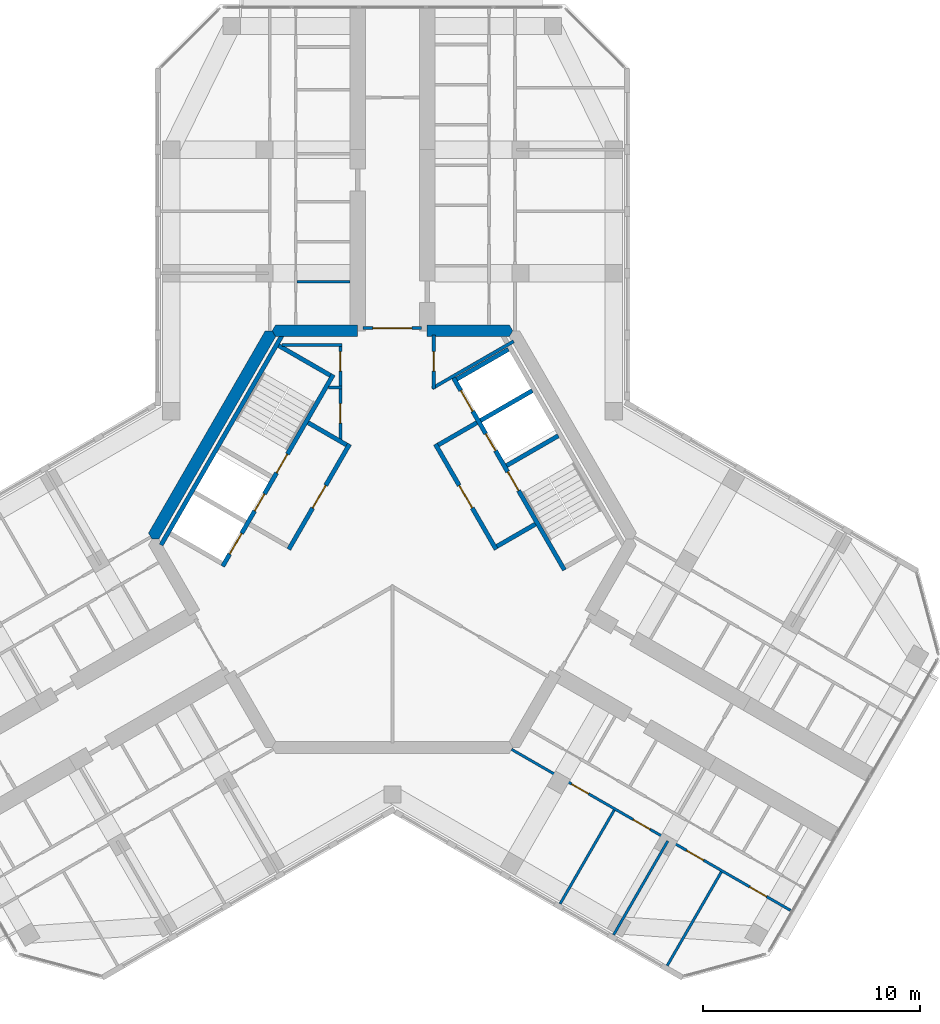
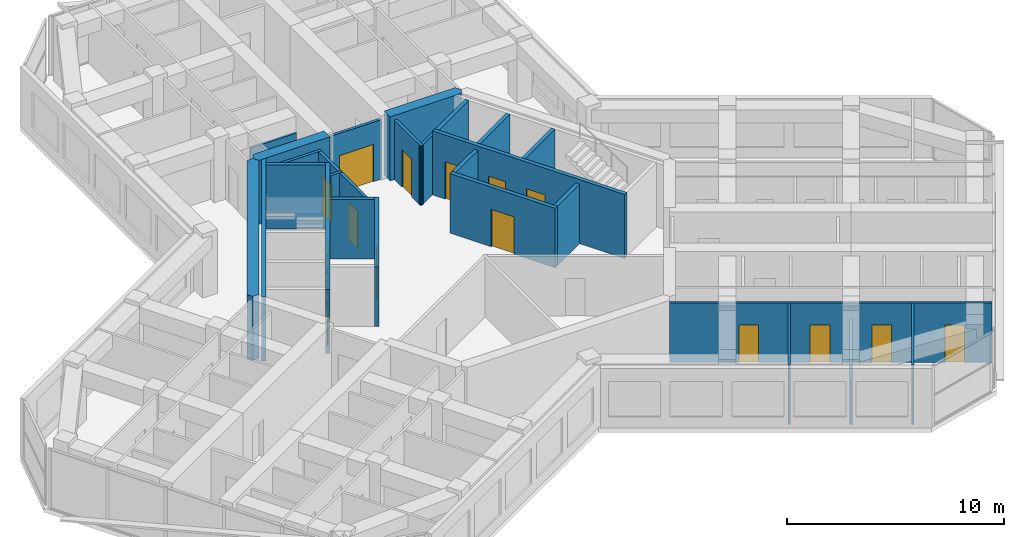
# One storey, part 9 of 14: 26 walls, 16 doors, 16 openings.
"""IFC4 building model written with IfcOpenShell, lengths in metres."""

from ifc_helpers import new_model, si_unit, direction, frame, frame_2d, origin, place, context, subcontext, project, spatial, polyline, rectangle, outline, extrude, material, layer, layer_set, type_object, element, fill, save


model = new_model("IFC4")

# Units and contexts
model_context = context("Model", 3, precision=1e-05, world=origin(), true_north=direction((0.0, 1.0)))
body_context = subcontext(model_context, "Body", "Model", "MODEL_VIEW")
ifc_project = project(units=[si_unit("LENGTHUNIT", "METRE"), si_unit("AREAUNIT", "SQUARE_METRE"), si_unit("VOLUMEUNIT", "CUBIC_METRE"), si_unit("PLANEANGLEUNIT", "RADIAN"), si_unit("MASSUNIT", "GRAM", prefix="KILO")], contexts=[model_context])

# Site, building, storey
site_placement = place(None, origin())
site = spatial("IfcSite", under=ifc_project, at=site_placement, CompositionType="ELEMENT")
building_placement = place(site_placement, origin())
building = spatial("IfcBuilding", under=site, at=building_placement, Name="Kosmar Iwan School Tower", CompositionType="ELEMENT")
storey_placement = place(building_placement, frame((0.0, 0.0, 278.199951171875)))
storey = spatial("IfcBuildingStorey", under=building, at=storey_placement, Name="L70", CompositionType="ELEMENT", Elevation=278.199951171875)

# Wall, openings, doors
ifc_material_1 = material(Name="Gypsum board on steel studs, fire-rated", Category="steel")
ifc_layer_1 = layer(ifc_material_1, 0.14990234375)
ifc_layer_set_1 = layer_set([ifc_layer_1], Name="Core room partition 150")
wall_type_1 = type_object("IfcWallType", Name="Core room partition 150", PredefinedType="PARTITIONING", material=ifc_layer_set_1)
wall_1_placement = place(storey_placement, frame((-2.39990234375, 9.014892578125, 0.0), z_axis=(0.0, 0.0, 1.0), x_axis=(0.0, -1.0, 0.0)))
wall_1 = element("IfcWall", 1, at=wall_1_placement, inside=storey, type_object=wall_type_1, Name="Core room partition L70-CW1", PredefinedType="PARTITIONING", context=body_context, shape_type="SweptSolid", body=[
    extrude(rectangle(XDim=4.484130859375, YDim=0.14990234375, at=frame_2d((2.2421875, 0.0))), origin(), (0.0, 0.0, 1.0), 3.35009765625),
])
opening_1_placement = place(wall_1_placement, frame((0.375, 0.0, 0.0)))
opening_1 = element("IfcOpeningElement", 2, at=opening_1_placement, cuts=wall_1, Name="Opening D14", PredefinedType="OPENING", context=body_context, shape_type="SweptSolid", body=[
    extrude(rectangle(XDim=0.89990234375, YDim=2.10009765625, at=frame_2d((0.449951171875, 1.050048828125))), frame((0.0, 0.0869140625, 0.0), z_axis=(0.0, -1.0, 0.0), x_axis=(1.0, 0.0, 0.0)), (0.0, 0.0, 1.0), 0.173828125),
])
opening_2_placement = place(wall_1_placement, frame((2.77490234375, 0.0, 0.0)))
opening_2 = element("IfcOpeningElement", 3, at=opening_2_placement, cuts=wall_1, Name="Opening D14", PredefinedType="OPENING", context=body_context, shape_type="SweptSolid", body=[
    extrude(rectangle(XDim=0.89990234375, YDim=2.10009765625, at=frame_2d((0.449951171875, 1.050048828125))), frame((0.0, 0.0869140625, 0.0), z_axis=(0.0, -1.0, 0.0), x_axis=(1.0, 0.0, 0.0)), (0.0, 0.0, 1.0), 0.173828125),
])
ifc_material_2 = material(Name="Timber fire door in steel frame", Category="steel")
door_type_1 = type_object("IfcDoorType", Name="Core room door 900x2100", OperationType="SINGLE_SWING_LEFT", PredefinedType="DOOR", material=ifc_material_2)
door_1_placement = place(opening_1_placement, origin())
door_1 = element("IfcDoor", 4, at=door_1_placement, inside=storey, type_object=door_type_1, Name="Electrical riser and switch room door L70 1", OperationType="SINGLE_SWING_LEFT", OverallHeight=2.10009765625, OverallWidth=0.89990234375, PredefinedType="DOOR", context=body_context, shape_type="SweptSolid", body=[
    extrude(rectangle(XDim=0.89990234375, YDim=2.10009765625, at=frame_2d((0.449951171875, 1.050048828125))), frame((0.0, 0.02490234375, 0.0), z_axis=(0.0, -1.0, 0.0), x_axis=(1.0, 0.0, 0.0)), (0.0, 0.0, 1.0), 0.050048828125),
])
fill(opening_1, door_1)
door_2_placement = place(opening_2_placement, origin())
door_2 = element("IfcDoor", 5, at=door_2_placement, inside=storey, type_object=door_type_1, Name="Plumbing and wet riser door L70 2", OperationType="SINGLE_SWING_RIGHT", OverallHeight=2.10009765625, OverallWidth=0.89990234375, PredefinedType="DOOR", context=body_context, shape_type="SweptSolid", body=[
    extrude(rectangle(XDim=0.89990234375, YDim=2.10009765625, at=frame_2d((0.449951171875, 1.050048828125))), frame((0.0, 0.02490234375, 0.0), z_axis=(0.0, -1.0, 0.0), x_axis=(1.0, 0.0, 0.0)), (0.0, 0.0, 1.0), 0.050048828125),
])
fill(opening_2, door_2)

# Walls
wall_2_placement = place(storey_placement, frame((-2.324951171875, 6.985107421875, 0.0), z_axis=(0.0, 0.0, 1.0), x_axis=(-1.0, 0.0, 0.0)))
element("IfcWall", 6, at=wall_2_placement, inside=storey, type_object=wall_type_1, Name="Core room partition L70-CW2", PredefinedType="PARTITIONING", context=body_context, shape_type="SweptSolid", body=[
    extrude(rectangle(XDim=0.623779296875, YDim=0.14990234375, at=frame_2d((0.31201171875, 0.0))), origin(), (0.0, 0.0, 1.0), 3.35009765625),
])
wall_3_placement = place(storey_placement, frame((-5.089599609375, 8.93994140625, 0.0), z_axis=(0.0, 0.0, 1.0), x_axis=(1.0, 0.0, 0.0)))
element("IfcWall", 7, at=wall_3_placement, inside=storey, type_object=wall_type_1, Name="Core room partition L70-CW3", PredefinedType="PARTITIONING", context=body_context, shape_type="SweptSolid", body=[
    extrude(rectangle(XDim=2.7646484375, YDim=0.14990234375, at=frame_2d((1.38232421875, 0.0))), origin(), (0.0, 0.0, 1.0), 3.35009765625),
])
wall_4_placement = place(storey_placement, frame((5.58642578125, 9.1142578125, 0.0), z_axis=(0.0, 0.0, 1.0), x_axis=(-0.866039173598, -0.499976149225, 0.0)))
element("IfcWall", 8, at=wall_4_placement, inside=storey, type_object=wall_type_1, Name="Core room partition L70-CW8", PredefinedType="PARTITIONING", context=body_context, shape_type="SweptSolid", body=[
    extrude(rectangle(XDim=4.331787109375, YDim=0.14990234375, at=frame_2d((2.166015625, 0.0))), origin(), (0.0, 0.0, 1.0), 3.35009765625),
])

# Wall, opening, door
wall_5_placement = place(storey_placement, frame((1.89990234375, 6.910888671875, 0.0), z_axis=(0.0, 0.0, 1.0), x_axis=(0.0, 1.0, 0.0)))
wall_5 = element("IfcWall", 9, at=wall_5_placement, inside=storey, type_object=wall_type_1, Name="Core room partition L70-CW9", PredefinedType="PARTITIONING", context=body_context, shape_type="SweptSolid", body=[
    extrude(rectangle(XDim=2.484130859375, YDim=0.14990234375, at=frame_2d((1.2421875, 0.0))), origin(), (0.0, 0.0, 1.0), 3.35009765625),
])
opening_3_placement = place(wall_5_placement, frame((0.826904296875, 0.0, 0.0)))
opening_3 = element("IfcOpeningElement", 10, at=opening_3_placement, cuts=wall_5, Name="Opening D14", PredefinedType="OPENING", context=body_context, shape_type="SweptSolid", body=[
    extrude(rectangle(XDim=0.89990234375, YDim=2.10009765625, at=frame_2d((0.449951171875, 1.050048828125))), frame((0.0, 0.0869140625, 0.0), z_axis=(0.0, -1.0, 0.0), x_axis=(1.0, 0.0, 0.0)), (0.0, 0.0, 1.0), 0.173828125),
])
door_3_placement = place(opening_3_placement, origin())
door_3 = element("IfcDoor", 11, at=door_3_placement, inside=storey, type_object=door_type_1, Name="Water meter room door L70 5", OperationType="SINGLE_SWING_RIGHT", OverallHeight=2.10009765625, OverallWidth=0.89990234375, PredefinedType="DOOR", context=body_context, shape_type="SweptSolid", body=[
    extrude(rectangle(XDim=0.89990234375, YDim=2.10009765625, at=frame_2d((0.449951171875, 1.050048828125))), frame((0.0, 0.02490234375, 0.0), z_axis=(0.0, -1.0, 0.0), x_axis=(1.0, 0.0, 0.0)), (0.0, 0.0, 1.0), 0.050048828125),
])
fill(opening_3, door_3)

# Walls
ifc_material_3 = material(Name="Concrete C50/60", Category="concrete")
ifc_layer_2 = layer(ifc_material_3, 0.550048828125)
ifc_layer_set_2 = layer_set([ifc_layer_2], Name="Core wall 550")
wall_type_2 = type_object("IfcWallType", Name="Core wall 550", PredefinedType="SHEAR", material=ifc_layer_set_2)
wall_6_placement = place(storey_placement, origin())
element("IfcWall", 12, at=wall_6_placement, inside=storey, type_object=wall_type_2, Name="Core wall F090a", PredefinedType="SHEAR", context=body_context, shape_type="SweptSolid", body=[
    extrude(outline(polyline([(1.60009765625, 9.324951171875), (5.3837890625, 9.324951171875), (5.54248046875, 9.60009765625), (5.3837890625, 9.875), (1.60009765625, 9.875), (1.60009765625, 9.324951171875)])), origin(), (0.0, 0.0, 1.0), 3.60009765625),
])
wall_7_placement = place(storey_placement, origin())
element("IfcWall", 13, at=wall_7_placement, inside=storey, type_object=wall_type_2, Name="Core wall F090b", PredefinedType="SHEAR", context=body_context, shape_type="SweptSolid", body=[
    extrude(outline(polyline([(-5.3837890625, 9.324951171875), (-1.60009765625, 9.324951171875), (-1.60009765625, 9.875), (-5.3837890625, 9.875), (-5.54248046875, 9.60009765625), (-5.3837890625, 9.324951171875)])), origin(), (0.0, 0.0, 1.0), 3.60009765625),
])
wall_8_placement = place(storey_placement, origin())
element("IfcWall", 14, at=wall_8_placement, inside=storey, type_object=wall_type_2, Name="Core wall F150", PredefinedType="SHEAR", context=body_context, shape_type="SweptSolid", body=[
    extrude(outline(polyline([(-11.085205078125, 0.0), (-10.767578125, 0.0), (-5.3837890625, 9.324951171875), (-5.54248046875, 9.60009765625), (-5.860107421875, 9.60009765625), (-11.243896484375, 0.27490234375), (-11.085205078125, 0.0)])), origin(), (0.0, 0.0, 1.0), 3.60009765625),
])

# Wall, opening, door
ifc_material_4 = material(Name="Steel framed glazed screen", Category="steel")
ifc_layer_3 = layer(ifc_material_4, 0.14990234375)
ifc_layer_set_3 = layer_set([ifc_layer_3], Name="Corridor screen wall 150")
wall_type_3 = type_object("IfcWallType", Name="Corridor screen wall 150", PredefinedType="PARTITIONING", material=ifc_layer_set_3)
wall_9_placement = place(storey_placement, frame((1.35009765625, 9.72509765625, 0.0), z_axis=(0.0, 0.0, 1.0), x_axis=(-1.0, 0.0, 0.0)))
wall_9 = element("IfcWall", 15, at=wall_9_placement, inside=storey, type_object=wall_type_3, Name="Corridor screen A L70", PredefinedType="PARTITIONING", context=body_context, shape_type="SweptSolid", body=[
    extrude(rectangle(XDim=2.7001953125, YDim=0.14990234375, at=frame_2d((1.35009765625, 0.0))), origin(), (0.0, 0.0, 1.0), 3.35009765625),
])
opening_4_placement = place(wall_9_placement, frame((0.449951171875, 0.0, 0.0)))
opening_4 = element("IfcOpeningElement", 16, at=opening_4_placement, cuts=wall_9, Name="Opening D9", PredefinedType="OPENING", context=body_context, shape_type="SweptSolid", body=[
    extrude(rectangle(XDim=1.800048828125, YDim=2.10009765625, at=frame_2d((0.89990234375, 1.050048828125))), frame((0.0, 0.0869140625, 0.0), z_axis=(0.0, -1.0, 0.0), x_axis=(1.0, 0.0, 0.0)), (0.0, 0.0, 1.0), 0.173828125),
])
ifc_material_5 = material(Name="Steel framed glazed smoke door", Category="steel")
door_type_2 = type_object("IfcDoorType", Name="Corridor smoke door pair 1800x2100", OperationType="DOUBLE_DOOR_DOUBLE_SWING", PredefinedType="DOOR", material=ifc_material_5)
door_4_placement = place(opening_4_placement, origin())
door_4 = element("IfcDoor", 17, at=door_4_placement, inside=storey, type_object=door_type_2, Name="Corridor doors A L70", OperationType="DOUBLE_DOOR_DOUBLE_SWING", OverallHeight=2.10009765625, OverallWidth=1.800048828125, PredefinedType="DOOR", context=body_context, shape_type="SweptSolid", body=[
    extrude(rectangle(XDim=1.800048828125, YDim=2.10009765625, at=frame_2d((0.89990234375, 1.050048828125))), frame((0.0, 0.02490234375, 0.0), z_axis=(0.0, -1.0, 0.0), x_axis=(1.0, 0.0, 0.0)), (0.0, 0.0, 1.0), 0.050048828125),
])
fill(opening_4, door_4)

# Wall
ifc_material_6 = material(Name="Gypsum board on steel studs", Category="steel")
ifc_layer_4 = layer(ifc_material_6, 0.1201171875)
ifc_layer_set_4 = layer_set([ifc_layer_4], Name="Dwelling partition 120")
wall_type_4 = type_object("IfcWallType", Name="Dwelling partition 120", PredefinedType="PARTITIONING", material=ifc_layer_set_4)
wall_10_placement = place(storey_placement, frame((-1.949951171875, 11.85009765625, 0.0), z_axis=(0.0, 0.0, 1.0), x_axis=(-1.0, 0.0, 0.0)))
element("IfcWall", 18, at=wall_10_placement, inside=storey, type_object=wall_type_4, Name="Partition L70-AL1-Y1", PredefinedType="PARTITIONING", context=body_context, shape_type="SweptSolid", body=[
    extrude(rectangle(XDim=2.43994140625, YDim=0.1201171875, at=frame_2d((1.219970703125, 0.0))), origin(), (0.0, 0.0, 1.0), 2.449951171875),
])

# Wall, openings, doors
wall_11_placement = place(storey_placement, frame((5.48876953125, -9.693115234375, 0.0), z_axis=(0.0, 0.0, 1.0), x_axis=(0.866030301974, -0.499991515992, 0.0)))
wall_11 = element("IfcWall", 19, at=wall_11_placement, inside=storey, type_object=wall_type_4, Name="Partition L70-CR1-W2", PredefinedType="PARTITIONING", context=body_context, shape_type="SweptSolid", body=[
    extrude(rectangle(XDim=14.844970703125, YDim=0.1201171875, at=frame_2d((7.42236328125, 0.0))), origin(), (0.0, 0.0, 1.0), 3.35009765625),
])
opening_5_placement = place(wall_11_placement, frame((3.199951171875, 0.0, 0.0)))
opening_5 = element("IfcOpeningElement", 20, at=opening_5_placement, cuts=wall_11, Name="Opening D2", PredefinedType="OPENING", context=body_context, shape_type="SweptSolid", body=[
    extrude(rectangle(XDim=0.89990234375, YDim=2.10009765625, at=frame_2d((0.449951171875, 1.050048828125))), frame((0.0, 0.072021484375, 0.0), z_axis=(0.0, -1.0, 0.0), x_axis=(1.0, 0.0, 0.0)), (0.0, 0.0, 1.0), 0.14404296875),
])
opening_6_placement = place(wall_11_placement, frame((6.47509765625, 0.0, 0.0)))
opening_6 = element("IfcOpeningElement", 21, at=opening_6_placement, cuts=wall_11, Name="Opening D2", PredefinedType="OPENING", context=body_context, shape_type="SweptSolid", body=[
    extrude(rectangle(XDim=0.89990234375, YDim=2.10009765625, at=frame_2d((0.449951171875, 1.050048828125))), frame((0.0, 0.072021484375, 0.0), z_axis=(0.0, -1.0, 0.0), x_axis=(1.0, 0.0, 0.0)), (0.0, 0.0, 1.0), 0.14404296875),
])
opening_7_placement = place(wall_11_placement, frame((9.324951171875, 0.0, 0.0)))
opening_7 = element("IfcOpeningElement", 22, at=opening_7_placement, cuts=wall_11, Name="Opening D2", PredefinedType="OPENING", context=body_context, shape_type="SweptSolid", body=[
    extrude(rectangle(XDim=0.89990234375, YDim=2.10009765625, at=frame_2d((0.449951171875, 1.050048828125))), frame((0.0, 0.072021484375, 0.0), z_axis=(0.0, -1.0, 0.0), x_axis=(1.0, 0.0, 0.0)), (0.0, 0.0, 1.0), 0.14404296875),
])
opening_8_placement = place(wall_11_placement, frame((12.675048828125, 0.0, 0.0)))
opening_8 = element("IfcOpeningElement", 23, at=opening_8_placement, cuts=wall_11, Name="Opening D2", PredefinedType="OPENING", context=body_context, shape_type="SweptSolid", body=[
    extrude(rectangle(XDim=0.89990234375, YDim=2.10009765625, at=frame_2d((0.449951171875, 1.050048828125))), frame((0.0, 0.072021484375, 0.0), z_axis=(0.0, -1.0, 0.0), x_axis=(1.0, 0.0, 0.0)), (0.0, 0.0, 1.0), 0.14404296875),
])
ifc_material_7 = material(Name="Timber door in timber frame", Category="wood")
door_type_3 = type_object("IfcDoorType", Name="Internal door 900x2100", OperationType="SINGLE_SWING_LEFT", PredefinedType="DOOR", material=ifc_material_7)
door_5_placement = place(opening_5_placement, origin())
door_5 = element("IfcDoor", 24, at=door_5_placement, inside=storey, type_object=door_type_3, Name="Living room and kitchen door L70-CR1-F1", OperationType="SINGLE_SWING_LEFT", OverallHeight=2.10009765625, OverallWidth=0.89990234375, PredefinedType="DOOR", context=body_context, shape_type="SweptSolid", body=[
    extrude(rectangle(XDim=0.89990234375, YDim=2.10009765625, at=frame_2d((0.449951171875, 1.050048828125))), frame((0.0, 0.02490234375, 0.0), z_axis=(0.0, -1.0, 0.0), x_axis=(1.0, 0.0, 0.0)), (0.0, 0.0, 1.0), 0.050048828125),
])
fill(opening_5, door_5)
door_6_placement = place(opening_6_placement, origin())
door_6 = element("IfcDoor", 25, at=door_6_placement, inside=storey, type_object=door_type_3, Name="Bedroom 1 door L70-CR1-F2", OperationType="SINGLE_SWING_LEFT", OverallHeight=2.10009765625, OverallWidth=0.89990234375, PredefinedType="DOOR", context=body_context, shape_type="SweptSolid", body=[
    extrude(rectangle(XDim=0.89990234375, YDim=2.10009765625, at=frame_2d((0.449951171875, 1.050048828125))), frame((0.0, 0.02490234375, 0.0), z_axis=(0.0, -1.0, 0.0), x_axis=(1.0, 0.0, 0.0)), (0.0, 0.0, 1.0), 0.050048828125),
])
fill(opening_6, door_6)
door_7_placement = place(opening_7_placement, origin())
door_7 = element("IfcDoor", 26, at=door_7_placement, inside=storey, type_object=door_type_3, Name="Dining room door L70-CR1-F3", OperationType="SINGLE_SWING_RIGHT", OverallHeight=2.10009765625, OverallWidth=0.89990234375, PredefinedType="DOOR", context=body_context, shape_type="SweptSolid", body=[
    extrude(rectangle(XDim=0.89990234375, YDim=2.10009765625, at=frame_2d((0.449951171875, 1.050048828125))), frame((0.0, 0.02490234375, 0.0), z_axis=(0.0, -1.0, 0.0), x_axis=(1.0, 0.0, 0.0)), (0.0, 0.0, 1.0), 0.050048828125),
])
fill(opening_7, door_7)
door_8_placement = place(opening_8_placement, origin())
door_8 = element("IfcDoor", 27, at=door_8_placement, inside=storey, type_object=door_type_3, Name="Study door L70-CR1-F4", OperationType="SINGLE_SWING_RIGHT", OverallHeight=2.10009765625, OverallWidth=0.89990234375, PredefinedType="DOOR", context=body_context, shape_type="SweptSolid", body=[
    extrude(rectangle(XDim=0.89990234375, YDim=2.10009765625, at=frame_2d((0.449951171875, 1.050048828125))), frame((0.0, 0.02490234375, 0.0), z_axis=(0.0, -1.0, 0.0), x_axis=(1.0, 0.0, 0.0)), (0.0, 0.0, 1.0), 0.050048828125),
])
fill(opening_8, door_8)

# Walls
wall_12_placement = place(storey_placement, frame((10.221923828125, -12.4951171875, 0.0), z_axis=(0.0, 0.0, 1.0), x_axis=(-0.499996339024, -0.86602751744, 0.0)))
element("IfcWall", 28, at=wall_12_placement, inside=storey, type_object=wall_type_4, Name="Partition L70-CR1-X1", PredefinedType="PARTITIONING", context=body_context, shape_type="SweptSolid", body=[
    extrude(rectangle(XDim=4.98974609375, YDim=0.1201171875, at=frame_2d((2.494873046875, 0.0))), origin(), (0.0, 0.0, 1.0), 3.35009765625),
])
wall_13_placement = place(storey_placement, frame((12.690185546875, -13.919921875, 0.0), z_axis=(0.0, 0.0, 1.0), x_axis=(-0.500011847778, -0.866018563358, 0.0)))
element("IfcWall", 29, at=wall_13_placement, inside=storey, type_object=wall_type_4, Name="Partition L70-CR1-X2", PredefinedType="PARTITIONING", context=body_context, shape_type="SweptSolid", body=[
    extrude(rectangle(XDim=4.990234375, YDim=0.1201171875, at=frame_2d((2.4951171875, 0.0))), origin(), (0.0, 0.0, 1.0), 2.449951171875),
])
wall_14_placement = place(storey_placement, frame((15.158447265625, -15.344970703125, 0.0), z_axis=(0.0, 0.0, 1.0), x_axis=(-0.500011847778, -0.866018563358, 0.0)))
element("IfcWall", 30, at=wall_14_placement, inside=storey, type_object=wall_type_4, Name="Partition L70-CR1-X3", PredefinedType="PARTITIONING", context=body_context, shape_type="SweptSolid", body=[
    extrude(rectangle(XDim=4.990234375, YDim=0.1201171875, at=frame_2d((2.4951171875, 0.0))), origin(), (0.0, 0.0, 1.0), 3.35009765625),
])

# Wall, opening, door
ifc_material_8 = material(Name="Concrete block masonry", Category="masonry")
ifc_layer_5 = layer(ifc_material_8, 0.199951171875)
ifc_layer_set_5 = layer_set([ifc_layer_5], Name="Fire lobby wall 200")
wall_type_5 = type_object("IfcWallType", Name="Fire lobby wall 200", PredefinedType="PARTITIONING", material=ifc_layer_set_5)
wall_15_placement = place(storey_placement, frame((-1.9775390625, 4.374755859375, 0.0), z_axis=(0.0, 0.0, 1.0), x_axis=(-0.500016814911, -0.866015695474, 0.0)))
wall_15 = element("IfcWall", 31, at=wall_15_placement, inside=storey, type_object=wall_type_5, Name="Firefighting lobby wall ST2", PredefinedType="PARTITIONING", context=body_context, shape_type="SweptSolid", body=[
    extrude(rectangle(XDim=5.599853515625, YDim=0.199951171875, at=frame_2d((2.7998046875, 0.0))), origin(), (0.0, 0.0, 1.0), 3.35009765625),
])
opening_9_placement = place(wall_15_placement, frame((2.199951171875, 0.0, 0.0)))
opening_9 = element("IfcOpeningElement", 32, at=opening_9_placement, cuts=wall_15, Name="Opening D7", PredefinedType="OPENING", context=body_context, shape_type="SweptSolid", body=[
    extrude(rectangle(XDim=1.199951171875, YDim=2.10009765625, at=frame_2d((0.60009765625, 1.050048828125))), frame((0.0, 0.112060546875, 0.0), z_axis=(0.0, -1.0, 0.0), x_axis=(1.0, 0.0, 0.0)), (0.0, 0.0, 1.0), 0.223876953125),
])
ifc_material_9 = material(Name="Steel fire door", Category="steel")
door_type_4 = type_object("IfcDoorType", Name="Fire lobby door 1200x2100", OperationType="SINGLE_SWING_LEFT", PredefinedType="DOOR", material=ifc_material_9)
door_9_placement = place(opening_9_placement, origin())
door_9 = element("IfcDoor", 33, at=door_9_placement, inside=storey, type_object=door_type_4, Name="Firefighting lobby door ST2 L70", OperationType="SINGLE_SWING_LEFT", OverallHeight=2.10009765625, OverallWidth=1.199951171875, PredefinedType="DOOR", context=body_context, shape_type="SweptSolid", body=[
    extrude(rectangle(XDim=1.199951171875, YDim=2.10009765625, at=frame_2d((0.60009765625, 1.050048828125))), frame((0.0, 0.02490234375, 0.0), z_axis=(0.0, -1.0, 0.0), x_axis=(1.0, 0.0, 0.0)), (0.0, 0.0, 1.0), 0.050048828125),
])
fill(opening_9, door_9)

# Wall
wall_16_placement = place(storey_placement, frame((-2.114013671875, 4.33837890625, 0.0), z_axis=(0.0, 0.0, 1.0), x_axis=(-0.866050731258, 0.499956128963, 0.0)))
element("IfcWall", 34, at=wall_16_placement, inside=storey, type_object=wall_type_5, Name="Firefighting lobby wall ST2", PredefinedType="PARTITIONING", context=body_context, shape_type="SweptSolid", body=[
    extrude(rectangle(XDim=2.050048828125, YDim=0.199951171875, at=frame_2d((1.02490234375, 0.0))), origin(), (0.0, 0.0, 1.0), 3.35009765625),
])

# Wall, opening, door
wall_17_placement = place(storey_placement, frame((4.777587890625, -0.474853515625, 0.0), z_axis=(0.0, 0.0, 1.0), x_axis=(-0.500016814911, 0.866015695474, 0.0)))
wall_17 = element("IfcWall", 35, at=wall_17_placement, inside=storey, type_object=wall_type_5, Name="Firefighting lobby wall ST1", PredefinedType="PARTITIONING", context=body_context, shape_type="SweptSolid", body=[
    extrude(rectangle(XDim=5.599853515625, YDim=0.199951171875, at=frame_2d((2.7998046875, 0.0))), origin(), (0.0, 0.0, 1.0), 3.35009765625),
])
opening_10_placement = place(wall_17_placement, frame((2.199951171875, 0.0, 0.0)))
opening_10 = element("IfcOpeningElement", 36, at=opening_10_placement, cuts=wall_17, Name="Opening D7", PredefinedType="OPENING", context=body_context, shape_type="SweptSolid", body=[
    extrude(rectangle(XDim=1.199951171875, YDim=2.10009765625, at=frame_2d((0.60009765625, 1.050048828125))), frame((0.0, 0.112060546875, 0.0), z_axis=(0.0, -1.0, 0.0), x_axis=(1.0, 0.0, 0.0)), (0.0, 0.0, 1.0), 0.223876953125),
])
door_10_placement = place(opening_10_placement, origin())
door_10 = element("IfcDoor", 37, at=door_10_placement, inside=storey, type_object=door_type_4, Name="Firefighting lobby door ST1 L70", OperationType="SINGLE_SWING_LEFT", OverallHeight=2.10009765625, OverallWidth=1.199951171875, PredefinedType="DOOR", context=body_context, shape_type="SweptSolid", body=[
    extrude(rectangle(XDim=1.199951171875, YDim=2.10009765625, at=frame_2d((0.60009765625, 1.050048828125))), frame((0.0, 0.02490234375, 0.0), z_axis=(0.0, -1.0, 0.0), x_axis=(1.0, 0.0, 0.0)), (0.0, 0.0, 1.0), 0.050048828125),
])
fill(opening_10, door_10)

# Walls
wall_18_placement = place(storey_placement, frame((4.814208984375, -0.33837890625, 0.0), z_axis=(0.0, 0.0, 1.0), x_axis=(0.865969381856, 0.500097020274, 0.0)))
element("IfcWall", 38, at=wall_18_placement, inside=storey, type_object=wall_type_5, Name="Firefighting lobby wall ST1", PredefinedType="PARTITIONING", context=body_context, shape_type="SweptSolid", body=[
    extrude(rectangle(XDim=2.0498046875, YDim=0.199951171875, at=frame_2d((1.02490234375, 0.0))), origin(), (0.0, 0.0, 1.0), 3.35009765625),
])
wall_19_placement = place(storey_placement, frame((2.114013671875, 4.33837890625, 0.0), z_axis=(0.0, 0.0, 1.0), x_axis=(0.866050731258, 0.499956128963, 0.0)))
element("IfcWall", 39, at=wall_19_placement, inside=storey, type_object=wall_type_5, Name="Firefighting lobby wall ST1", PredefinedType="PARTITIONING", context=body_context, shape_type="SweptSolid", body=[
    extrude(rectangle(XDim=2.050048828125, YDim=0.199951171875, at=frame_2d((1.02490234375, 0.0))), origin(), (0.0, 0.0, 1.0), 3.35009765625),
])

# Wall, openings, doors
ifc_material_10 = material(Name="Concrete C50/60", Category="concrete")
ifc_layer_6 = layer(ifc_material_10, 0.199951171875)
ifc_layer_set_6 = layer_set([ifc_layer_6], Name="Lift shaft wall 200")
wall_type_6 = type_object("IfcWallType", Name="Lift shaft wall 200", PredefinedType="SHEAR", material=ifc_layer_set_6)
wall_20_placement = place(storey_placement, frame((-2.72607421875, 7.578369140625, 0.0), z_axis=(0.0, 0.0, 1.0), x_axis=(-0.500005610874, -0.86602216432, 0.0)))
wall_20 = element("IfcWall", 40, at=wall_20_placement, inside=storey, type_object=wall_type_6, Name="Lift and stair front wall AB", PredefinedType="SHEAR", context=body_context, shape_type="SweptSolid", body=[
    extrude(rectangle(XDim=10.2001953125, YDim=0.199951171875, at=frame_2d((5.10009765625, 0.0))), origin(), (0.0, 0.0, 1.0), 3.60009765625),
])
opening_11_placement = place(wall_20_placement, frame((6.35009765625, 0.0, 0.0)))
opening_11 = element("IfcOpeningElement", 41, at=opening_11_placement, cuts=wall_20, Name="Opening LD2", PredefinedType="OPENING", context=body_context, shape_type="SweptSolid", body=[
    extrude(rectangle(XDim=0.89990234375, YDim=2.10009765625, at=frame_2d((0.449951171875, 1.050048828125))), frame((0.0, 0.112060546875, 0.0), z_axis=(0.0, -1.0, 0.0), x_axis=(1.0, 0.0, 0.0)), (0.0, 0.0, 1.0), 0.223876953125),
])
opening_12_placement = place(wall_20_placement, frame((8.449951171875, 0.0, 0.0)))
opening_12 = element("IfcOpeningElement", 42, at=opening_12_placement, cuts=wall_20, Name="Opening LD1", PredefinedType="OPENING", context=body_context, shape_type="SweptSolid", body=[
    extrude(rectangle(XDim=1.10009765625, YDim=2.10009765625, at=frame_2d((0.550048828125, 1.050048828125))), frame((0.0, 0.112060546875, 0.0), z_axis=(0.0, -1.0, 0.0), x_axis=(1.0, 0.0, 0.0)), (0.0, 0.0, 1.0), 0.223876953125),
])
opening_13_placement = place(wall_20_placement, frame((4.22998046875, 0.0, 0.0)))
opening_13 = element("IfcOpeningElement", 43, at=opening_13_placement, cuts=wall_20, Name="Opening D6", PredefinedType="OPENING", context=body_context, shape_type="SweptSolid", body=[
    extrude(rectangle(XDim=1.0, YDim=2.10009765625, at=frame_2d((0.5, 1.050048828125))), frame((0.0, 0.112060546875, 0.0), z_axis=(0.0, -1.0, 0.0), x_axis=(1.0, 0.0, 0.0)), (0.0, 0.0, 1.0), 0.223876953125),
])
ifc_material_11 = material(Name="Stainless steel sliding lift door", Category="steel")
door_type_5 = type_object("IfcDoorType", Name="Firefighting lift landing door 900x2100", OperationType="SLIDING_TO_LEFT", PredefinedType="DOOR", material=ifc_material_11)
door_11_placement = place(opening_11_placement, origin())
door_11 = element("IfcDoor", 44, at=door_11_placement, inside=storey, type_object=door_type_5, Name="Lift FF2 landing door L70", OperationType="SLIDING_TO_LEFT", OverallHeight=2.10009765625, OverallWidth=0.89990234375, PredefinedType="DOOR", context=body_context, shape_type="SweptSolid", body=[
    extrude(rectangle(XDim=0.89990234375, YDim=2.10009765625, at=frame_2d((0.449951171875, 1.050048828125))), frame((0.0, 0.02490234375, 0.0), z_axis=(0.0, -1.0, 0.0), x_axis=(1.0, 0.0, 0.0)), (0.0, 0.0, 1.0), 0.050048828125),
])
fill(opening_11, door_11)
ifc_material_12 = material(Name="Stainless steel sliding lift door", Category="steel")
door_type_6 = type_object("IfcDoorType", Name="Lift landing door 1100x2100", OperationType="SLIDING_TO_LEFT", PredefinedType="DOOR", material=ifc_material_12)
door_12_placement = place(opening_12_placement, origin())
door_12 = element("IfcDoor", 45, at=door_12_placement, inside=storey, type_object=door_type_6, Name="Lift PL6 landing door L70", OperationType="SLIDING_TO_LEFT", OverallHeight=2.10009765625, OverallWidth=1.10009765625, PredefinedType="DOOR", context=body_context, shape_type="SweptSolid", body=[
    extrude(rectangle(XDim=1.10009765625, YDim=2.10009765625, at=frame_2d((0.550048828125, 1.050048828125))), frame((0.0, 0.02490234375, 0.0), z_axis=(0.0, -1.0, 0.0), x_axis=(1.0, 0.0, 0.0)), (0.0, 0.0, 1.0), 0.050048828125),
])
fill(opening_12, door_12)
ifc_material_13 = material(Name="Steel fire door", Category="steel")
door_type_7 = type_object("IfcDoorType", Name="Stair door 1000x2100", OperationType="SINGLE_SWING_LEFT", PredefinedType="DOOR", material=ifc_material_13)
door_13_placement = place(opening_13_placement, origin())
door_13 = element("IfcDoor", 46, at=door_13_placement, inside=storey, type_object=door_type_7, Name="Stair ST2 door L70", OperationType="SINGLE_SWING_LEFT", OverallHeight=2.10009765625, OverallWidth=1.0, PredefinedType="DOOR", context=body_context, shape_type="SweptSolid", body=[
    extrude(rectangle(XDim=1.0, YDim=2.10009765625, at=frame_2d((0.5, 1.050048828125))), frame((0.0, 0.02490234375, 0.0), z_axis=(0.0, -1.0, 0.0), x_axis=(1.0, 0.0, 0.0)), (0.0, 0.0, 1.0), 0.050048828125),
])
fill(opening_13, door_13)

# Wall
wall_21_placement = place(storey_placement, frame((-5.09521484375, 9.375, 0.0), z_axis=(0.0, 0.0, 1.0), x_axis=(-0.499994302092, -0.866028693448, 0.0)))
element("IfcWall", 47, at=wall_21_placement, inside=storey, type_object=wall_type_6, Name="Lift and stair back wall AB", PredefinedType="SHEAR", context=body_context, shape_type="SweptSolid", body=[
    extrude(rectangle(XDim=11.142822265625, YDim=0.199951171875, at=frame_2d((5.5712890625, 0.0))), origin(), (0.0, 0.0, 1.0), 3.60009765625),
])

# Wall, openings, doors
wall_22_placement = place(storey_placement, frame((7.926025390625, -1.42822265625, 0.0), z_axis=(0.0, 0.0, 1.0), x_axis=(-0.50000905659, 0.866020174897, 0.0)))
wall_22 = element("IfcWall", 48, at=wall_22_placement, inside=storey, type_object=wall_type_6, Name="Lift and stair front wall AC", PredefinedType="SHEAR", context=body_context, shape_type="SweptSolid", body=[
    extrude(rectangle(XDim=10.224853515625, YDim=0.199951171875, at=frame_2d((5.1123046875, 0.0))), origin(), (0.0, 0.0, 1.0), 3.60009765625),
])
opening_14_placement = place(wall_22_placement, frame((6.35009765625, 0.0, 0.0)))
opening_14 = element("IfcOpeningElement", 49, at=opening_14_placement, cuts=wall_22, Name="Opening LD2", PredefinedType="OPENING", context=body_context, shape_type="SweptSolid", body=[
    extrude(rectangle(XDim=0.89990234375, YDim=2.10009765625, at=frame_2d((0.449951171875, 1.050048828125))), frame((0.0, 0.112060546875, 0.0), z_axis=(0.0, -1.0, 0.0), x_axis=(1.0, 0.0, 0.0)), (0.0, 0.0, 1.0), 0.223876953125),
])
opening_15_placement = place(wall_22_placement, frame((8.449951171875, 0.0, 0.0)))
opening_15 = element("IfcOpeningElement", 50, at=opening_15_placement, cuts=wall_22, Name="Opening LD1", PredefinedType="OPENING", context=body_context, shape_type="SweptSolid", body=[
    extrude(rectangle(XDim=1.10009765625, YDim=2.10009765625, at=frame_2d((0.550048828125, 1.050048828125))), frame((0.0, 0.112060546875, 0.0), z_axis=(0.0, -1.0, 0.0), x_axis=(1.0, 0.0, 0.0)), (0.0, 0.0, 1.0), 0.223876953125),
])
opening_16_placement = place(wall_22_placement, frame((4.22998046875, 0.0, 0.0)))
opening_16 = element("IfcOpeningElement", 51, at=opening_16_placement, cuts=wall_22, Name="Opening D6", PredefinedType="OPENING", context=body_context, shape_type="SweptSolid", body=[
    extrude(rectangle(XDim=1.0, YDim=2.10009765625, at=frame_2d((0.5, 1.050048828125))), frame((0.0, 0.112060546875, 0.0), z_axis=(0.0, -1.0, 0.0), x_axis=(1.0, 0.0, 0.0)), (0.0, 0.0, 1.0), 0.223876953125),
])
door_14_placement = place(opening_14_placement, origin())
door_14 = element("IfcDoor", 52, at=door_14_placement, inside=storey, type_object=door_type_5, Name="Lift FF1 landing door L70", OperationType="SLIDING_TO_LEFT", OverallHeight=2.10009765625, OverallWidth=0.89990234375, PredefinedType="DOOR", context=body_context, shape_type="SweptSolid", body=[
    extrude(rectangle(XDim=0.89990234375, YDim=2.10009765625, at=frame_2d((0.449951171875, 1.050048828125))), frame((0.0, 0.02490234375, 0.0), z_axis=(0.0, -1.0, 0.0), x_axis=(1.0, 0.0, 0.0)), (0.0, 0.0, 1.0), 0.050048828125),
])
fill(opening_14, door_14)
door_15_placement = place(opening_15_placement, origin())
door_15 = element("IfcDoor", 53, at=door_15_placement, inside=storey, type_object=door_type_6, Name="Lift PL5 landing door L70", OperationType="SLIDING_TO_LEFT", OverallHeight=2.10009765625, OverallWidth=1.10009765625, PredefinedType="DOOR", context=body_context, shape_type="SweptSolid", body=[
    extrude(rectangle(XDim=1.10009765625, YDim=2.10009765625, at=frame_2d((0.550048828125, 1.050048828125))), frame((0.0, 0.02490234375, 0.0), z_axis=(0.0, -1.0, 0.0), x_axis=(1.0, 0.0, 0.0)), (0.0, 0.0, 1.0), 0.050048828125),
])
fill(opening_15, door_15)
door_16_placement = place(opening_16_placement, origin())
door_16 = element("IfcDoor", 54, at=door_16_placement, inside=storey, type_object=door_type_7, Name="Stair ST1 door L70", OperationType="SINGLE_SWING_LEFT", OverallHeight=2.10009765625, OverallWidth=1.0, PredefinedType="DOOR", context=body_context, shape_type="SweptSolid", body=[
    extrude(rectangle(XDim=1.0, YDim=2.10009765625, at=frame_2d((0.5, 1.050048828125))), frame((0.0, 0.02490234375, 0.0), z_axis=(0.0, -1.0, 0.0), x_axis=(1.0, 0.0, 0.0)), (0.0, 0.0, 1.0), 0.050048828125),
])
fill(opening_16, door_16)

# Walls
for number, where, z_axis, x_axis, name in (
    (55, (4.062744140625, 5.46337890625, 0.0), (0.0, 0.0, 1.0), (0.866027397988, 0.499996545922, 0.0), "Lift shaft wall AC 1"),
    (56, (2.962646484375, 7.368408203125, 0.0), (0.0, 0.0, 1.0), (0.866027397988, 0.499996545922, 0.0), "Lift shaft wall AC 2"),
):
    element("IfcWall", number, at=place(storey_placement, frame(where, z_axis=z_axis, x_axis=x_axis)), inside=storey, type_object=wall_type_6, Name=name, PredefinedType="SHEAR", context=body_context, shape_type="SweptSolid", body=[
        extrude(rectangle(XDim=2.75, YDim=0.199951171875, at=frame_2d((1.375, 0.0))), origin(), (0.0, 0.0, 1.0), 3.60009765625),
    ])
ifc_material_14 = material(Name="Concrete C50/60", Category="concrete")
ifc_layer_7 = layer(ifc_material_14, 0.199951171875)
ifc_layer_set_7 = layer_set([ifc_layer_7], Name="Stair enclosure wall 200")
wall_type_7 = type_object("IfcWallType", Name="Stair enclosure wall 200", PredefinedType="SHEAR", material=ifc_layer_set_7)
for number, where, z_axis, x_axis, name in (
    (57, (-2.862548828125, 7.541748046875, 0.0), (0.0, 0.0, 1.0), (-0.866027397988, 0.499996545922, 0.0), "Stair ST2 wall"),
    (58, (5.2626953125, 3.384765625, 0.0), (0.0, 0.0, 1.0), (0.866027397988, 0.499996545922, 0.0), "Stair ST1 wall"),
):
    element("IfcWall", number, at=place(storey_placement, frame(where, z_axis=z_axis, x_axis=x_axis)), inside=storey, type_object=wall_type_7, Name=name, PredefinedType="SHEAR", context=body_context, shape_type="SweptSolid", body=[
        extrude(rectangle(XDim=2.75, YDim=0.199951171875, at=frame_2d((1.375, 0.0))), origin(), (0.0, 0.0, 1.0), 3.60009765625),
    ])

save(model, "model.ifc")
